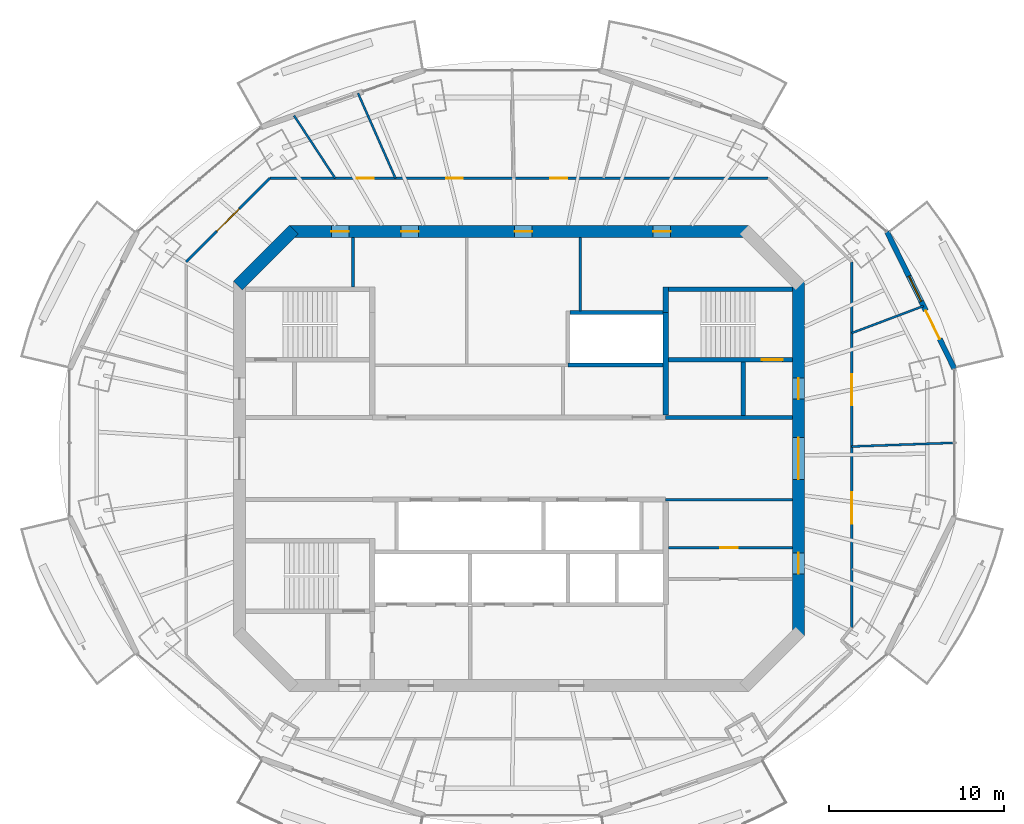
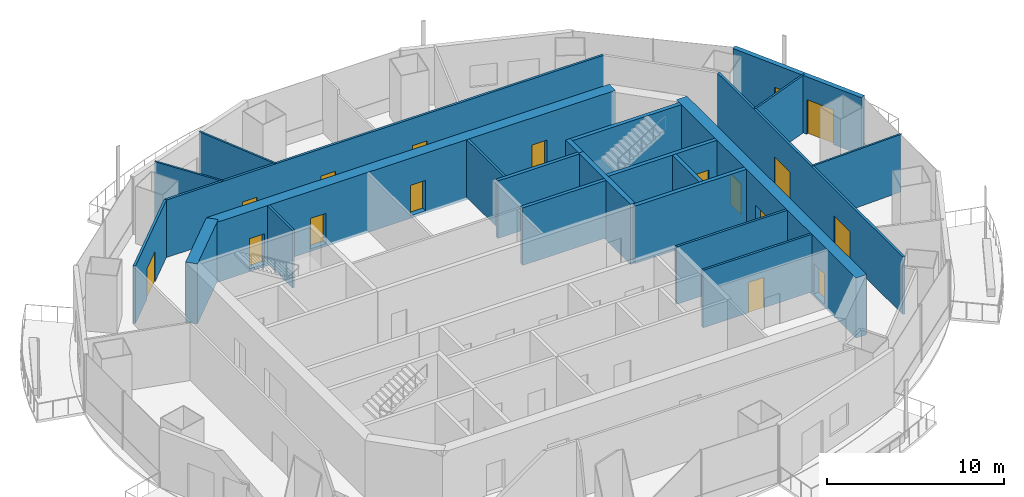
# One storey, part 10 of 16: 23 walls, 16 doors, 1 window, 17 openings.
"""IFC4 building model written with IfcOpenShell, lengths in metres."""

import ifcopenshell
import ifcopenshell.guid

model = None  # the IFC model being written
_history = None  # IfcOwnerHistory: only IFC2X3 demands one
_inside = {}  # id of a spatial element -> (the spatial element, [elements in it])
_under = {}  # id of a project, library or spatial element -> (it, [spatial elements below it])
_declared = {}  # id of a project -> (the project, [libraries it declares])
_typed = {}  # id of a type object -> (the type object, [elements of that type])
_made_of = {}  # id of a material, layer set ... -> (it, [elements and type objects made of it])


def new_model(schema):
    """Start an empty IFC model of exactly this schema.

    Asked for "IFC4X3", IfcOpenShell would pick the latest addendum, in which some entities
    have other attributes; the version numbers below select the first issue.
    IFC2X3 requires an IfcOwnerHistory on every rooted entity: one is made here for all.
    """
    global model, _history
    if schema == "IFC4X3":
        model = ifcopenshell.file(schema_version=(4, 3, 0, 0))
    else:
        model = ifcopenshell.file(schema=schema)
    _inside.clear()
    _under.clear()
    _declared.clear()
    _typed.clear()
    _made_of.clear()
    _history = None
    if model.schema == "IFC2X3":
        org = make("IfcOrganization", Name="unknown")
        user = make(
            "IfcPersonAndOrganization",
            ThePerson=make("IfcPerson", FamilyName="unknown"),
            TheOrganization=org,
        )
        app = make(
            "IfcApplication",
            ApplicationDeveloper=org,
            Version="unknown",
            ApplicationFullName="unknown",
            ApplicationIdentifier="unknown",
        )
        _history = make(
            "IfcOwnerHistory",
            OwningUser=user,
            OwningApplication=app,
            ChangeAction="ADDED",
            CreationDate=0,
        )
    return model


def make(cls, **values):
    """One entity of the class cls with the attributes given. An attribute that is None is left unset."""
    return model.create_entity(
        cls, **{name: value for name, value in values.items() if value is not None}
    )


def rooted(cls, **values):
    """An entity with a GlobalId (a new one), such as an element, a storey or a relation."""
    return make(cls, GlobalId=ifcopenshell.guid.new(), OwnerHistory=_history, **values)


def si_unit(unit_type, name, prefix=None):
    """IfcSIUnit, for example si_unit("LENGTHUNIT", "METRE", prefix="MILLI")."""
    return make("IfcSIUnit", UnitType=unit_type, Prefix=prefix, Name=name)


def assignment(units):
    """IfcUnitAssignment: the units of a project."""
    return None if units is None else make("IfcUnitAssignment", Units=units)


def point(xyz):
    """IfcCartesianPoint."""
    return None if xyz is None else make("IfcCartesianPoint", Coordinates=xyz)


def direction(xyz):
    """IfcDirection."""
    return None if xyz is None else make("IfcDirection", DirectionRatios=xyz)


def frame(location, z_axis=None, x_axis=None):
    """IfcAxis2Placement3D, a coordinate frame: its origin and axes. An axis left out is left unset."""
    return make(
        "IfcAxis2Placement3D",
        Location=point(location),
        Axis=direction(z_axis),
        RefDirection=direction(x_axis),
    )


def frame_2d(location, x_axis=None):
    """IfcAxis2Placement2D, a coordinate frame in the plane: its origin and x axis."""
    return make(
        "IfcAxis2Placement2D", Location=point(location), RefDirection=direction(x_axis)
    )


def origin():
    """The frame at (0, 0, 0) with its axes left unset."""
    return frame((0.0, 0.0, 0.0))


def place(relative_to, where):
    """IfcLocalPlacement: puts the frame where relative to a parent placement (None: the world)."""
    return make(
        "IfcLocalPlacement", PlacementRelTo=relative_to, RelativePlacement=where
    )


def context(
    kind, dimensions, precision=None, world=None, true_north=None, identifier=None
):
    """IfcGeometricRepresentationContext, for example the 3D "Model" context."""
    return make(
        "IfcGeometricRepresentationContext",
        ContextIdentifier=identifier,
        ContextType=kind,
        CoordinateSpaceDimension=dimensions,
        Precision=precision,
        WorldCoordinateSystem=world,
        TrueNorth=true_north,
    )


def subcontext(parent, identifier, kind, view, scale=None):
    """IfcGeometricRepresentationSubContext, for example "Body" below "Model"."""
    return make(
        "IfcGeometricRepresentationSubContext",
        ContextIdentifier=identifier,
        ContextType=kind,
        ParentContext=parent,
        TargetScale=scale,
        TargetView=view,
    )


def project(units=None, contexts=None):
    """IfcProject with its units and contexts."""
    return rooted(
        "IfcProject",
        Name="project",
        RepresentationContexts=contexts,
        UnitsInContext=assignment(units),
    )


def spatial(cls, under=None, at=None, **own):
    """A site, building, storey or space (cls), placed at a placement, below another one or the project."""
    s = rooted(cls, ObjectPlacement=at, **own)
    if under is not None:
        _under.setdefault(under.id(), (under, []))[1].append(s)
    return s


def profile(cls, at=None, kind="AREA", **sizes):
    """A parametric profile (cls). Its sizes go by their IFC names, for example OverallWidth=200.0."""
    return make(cls, ProfileType=kind, Position=at, **sizes)


def rectangle(**sizes):
    """IfcRectangleProfileDef."""
    return profile("IfcRectangleProfileDef", **sizes)


def extrude(swept, where, along, depth):
    """IfcExtrudedAreaSolid: the profile swept, set in the frame where, extruded along a direction by depth."""
    return make(
        "IfcExtrudedAreaSolid",
        SweptArea=swept,
        Position=where,
        ExtrudedDirection=direction(along),
        Depth=depth,
    )


def shape(context_of_items, identifier, shape_type, items):
    """IfcShapeRepresentation: the items that make up one representation, for example the "Body"."""
    return make(
        "IfcShapeRepresentation",
        ContextOfItems=context_of_items,
        RepresentationIdentifier=identifier,
        RepresentationType=shape_type,
        Items=items,
    )


def material(Name=None, Category=None):
    """IfcMaterial."""
    return make("IfcMaterial", Name=Name, Category=Category)


def layer(
    of_material, thickness, ventilated=None, Name=None, Category=None, Priority=None
):
    """IfcMaterialLayer: one layer of a wall or slab, of a material (None: an air gap)."""
    return make(
        "IfcMaterialLayer",
        Material=of_material,
        LayerThickness=thickness,
        IsVentilated=ventilated,
        Name=Name,
        Category=Category,
        Priority=Priority,
    )


def layer_set(layers, Name=None):
    """IfcMaterialLayerSet."""
    return make("IfcMaterialLayerSet", MaterialLayers=layers, LayerSetName=Name)


def made_of(thing, what):
    """Note that an element or type object is made of a material, layer set ...; save() writes the relation."""
    if what is not None:
        _made_of.setdefault(what.id(), (what, []))[1].append(thing)
    return thing


def type_object(cls, material=None, **own):
    """A type object (cls), such as IfcWallType, which elements share."""
    return made_of(rooted(cls, **own), material)


def element(
    cls,
    number,
    at=None,
    inside=None,
    cuts=None,
    type_object=None,
    material=None,
    context=None,
    identifier="Body",
    shape_type=None,
    held_by="IfcProductDefinitionShape",
    body=None,
    shapes=None,
    **own,
):
    """One element of the class cls, such as IfcWall. Its Tag is "e" and its number.

    at: its placement. inside: the storey or other place that contains it. cuts: it is an
    opening in that element (IfcRelVoidsElement). A single representation is given by context,
    identifier, shape_type and body (its items); several are given by shapes. held_by: the class
    of the entity that holds the representations. save() writes the other relations.
    """
    e = rooted(cls, Tag="e%d" % number, ObjectPlacement=at, **own)
    if body is not None:
        shapes = [shape(context, identifier, shape_type, body)]
    if shapes is not None:
        e.Representation = make(held_by, Representations=shapes)
    if inside is not None:
        _inside.setdefault(inside.id(), (inside, []))[1].append(e)
    if cuts is not None:
        rooted(
            "IfcRelVoidsElement", RelatingBuildingElement=cuts, RelatedOpeningElement=e
        )
    if type_object is not None:
        _typed.setdefault(type_object.id(), (type_object, []))[1].append(e)
    return made_of(e, material)


def fill(opening, filler):
    """IfcRelFillsElement: the door or window that sits in an opening."""
    return rooted(
        "IfcRelFillsElement",
        RelatingOpeningElement=opening,
        RelatedBuildingElement=filler,
    )


def aggregate(whole, parts):
    """IfcRelAggregates: a whole, such as a stair, and the parts it consists of."""
    return rooted("IfcRelAggregates", RelatingObject=whole, RelatedObjects=parts)


def save(model, path):
    """Write the relations noted so far, then the file.

    IfcRelAggregates (storeys below a building ...), IfcRelContainedInSpatialStructure (elements
    in a storey), IfcRelDefinesByType, IfcRelAssociatesMaterial and IfcRelDeclares: one each for
    every whole, place, type object, material and project.
    """
    for whole, parts in _under.values():
        aggregate(whole, parts)
    for where, things in _inside.values():
        rooted(
            "IfcRelContainedInSpatialStructure",
            RelatedElements=things,
            RelatingStructure=where,
        )
    for kind, things in _typed.values():
        rooted("IfcRelDefinesByType", RelatedObjects=things, RelatingType=kind)
    for what, things in _made_of.values():
        rooted("IfcRelAssociatesMaterial", RelatedObjects=things, RelatingMaterial=what)
    for by, libraries in _declared.values():
        rooted("IfcRelDeclares", RelatingContext=by, RelatedDefinitions=libraries)
    model.write(path)


model = new_model("IFC4")

# Units and contexts
model_context = context("Model", 3, precision=1e-05, world=origin(), true_north=direction((0.0, 1.0)))
body_context = subcontext(model_context, "Body", "Model", "MODEL_VIEW")
ifc_project = project(units=[si_unit("LENGTHUNIT", "METRE"), si_unit("AREAUNIT", "SQUARE_METRE"), si_unit("VOLUMEUNIT", "CUBIC_METRE"), si_unit("PLANEANGLEUNIT", "RADIAN"), si_unit("MASSUNIT", "GRAM", prefix="KILO")], contexts=[model_context])

# Site, building, storey
site_placement = place(None, origin())
site = spatial("IfcSite", under=ifc_project, at=site_placement, CompositionType="ELEMENT")
building_placement = place(site_placement, origin())
building = spatial("IfcBuilding", under=site, at=building_placement, Name="Marenthal Gate Tower", CompositionType="ELEMENT")
storey_placement = place(building_placement, frame((0.0, 0.0, 375.800048828125)))
storey = spatial("IfcBuildingStorey", under=building, at=storey_placement, Name="L85", CompositionType="ELEMENT", Elevation=375.800048828125)

# Wall, openings, doors
ifc_material_1 = material(Name="Concrete 60 MPa", Category="concrete")
ifc_layer_1 = layer(ifc_material_1, 0.699951171875)
ifc_layer_set_1 = layer_set([ifc_layer_1], Name="Core shear wall 700")
wall_type_1 = type_object("IfcWallType", Name="Core shear wall 700", PredefinedType="SHEAR", material=ifc_layer_set_1)
wall_1_placement = place(storey_placement, frame((16.0, -10.14501953125, -0.179931640625), z_axis=(0.0, 0.0, 1.0), x_axis=(0.0, 1.0, 0.0)))
wall_1 = element("IfcWall", 1, at=wall_1_placement, inside=storey, type_object=wall_type_1, Name="Core wall 02", PredefinedType="SHEAR", context=body_context, shape_type="SweptSolid", body=[
    extrude(rectangle(XDim=20.2900390625, YDim=0.699951171875, at=frame_2d((10.14501953125, 0.0))), origin(), (0.0, 0.0, 1.0), 4.14990234375),
])
opening_1_placement = place(wall_1_placement, frame((8.945068359375, 0.0, 0.179931640625)))
opening_1 = element("IfcOpeningElement", 2, at=opening_1_placement, cuts=wall_1, Name="Opening D003.02", PredefinedType="OPENING", context=body_context, shape_type="SweptSolid", body=[
    extrude(rectangle(XDim=2.39990234375, YDim=2.10009765625, at=frame_2d((1.199951171875, 1.050048828125))), frame((0.0, 0.35986328125, 0.0), z_axis=(0.0, -1.0, 0.0), x_axis=(1.0, 0.0, 0.0)), (0.0, 0.0, 1.0), 0.719970703125),
])
opening_2_placement = place(wall_1_placement, frame((13.544921875, 0.0, 0.179931640625)))
opening_2 = element("IfcOpeningElement", 3, at=opening_2_placement, cuts=wall_1, Name="Opening D001.05", PredefinedType="OPENING", context=body_context, shape_type="SweptSolid", body=[
    extrude(rectangle(XDim=1.199951171875, YDim=2.10009765625, at=frame_2d((0.60009765625, 1.050048828125))), frame((0.0, 0.35986328125, 0.0), z_axis=(0.0, -1.0, 0.0), x_axis=(1.0, 0.0, 0.0)), (0.0, 0.0, 1.0), 0.719970703125),
])
opening_3_placement = place(wall_1_placement, frame((3.544921875, 0.0, 0.179931640625)))
opening_3 = element("IfcOpeningElement", 4, at=opening_3_placement, cuts=wall_1, Name="Opening D006.01", PredefinedType="OPENING", context=body_context, shape_type="SweptSolid", body=[
    extrude(rectangle(XDim=1.199951171875, YDim=2.10009765625, at=frame_2d((0.60009765625, 1.050048828125))), frame((0.0, 0.35986328125, 0.0), z_axis=(0.0, -1.0, 0.0), x_axis=(1.0, 0.0, 0.0)), (0.0, 0.0, 1.0), 0.719970703125),
])
ifc_material_2 = material(Name="Steel fire door", Category="steel")
door_type_1 = type_object("IfcDoorType", Name="Double fire door FD 45 2400 x 2100", OperationType="DOUBLE_DOOR_SINGLE_SWING", PredefinedType="DOOR", material=ifc_material_2)
door_1_placement = place(opening_1_placement, origin())
door_1 = element("IfcDoor", 5, at=door_1_placement, inside=storey, type_object=door_type_1, Name="Door D003.02", OperationType="DOUBLE_DOOR_SINGLE_SWING", OverallHeight=2.10009765625, OverallWidth=2.39990234375, PredefinedType="DOOR", context=body_context, shape_type="SweptSolid", body=[
    extrude(rectangle(XDim=2.39990234375, YDim=2.10009765625, at=frame_2d((1.199951171875, 1.050048828125))), frame((0.0, 0.02490234375, 0.0), z_axis=(0.0, -1.0, 0.0), x_axis=(1.0, 0.0, 0.0)), (0.0, 0.0, 1.0), 0.050048828125),
])
fill(opening_1, door_1)
ifc_material_3 = material(Name="Steel fire door", Category="steel")
door_type_2 = type_object("IfcDoorType", Name="Fire door FD 45 1200 x 2100", OperationType="NOTDEFINED", PredefinedType="DOOR", material=ifc_material_3)
door_2_placement = place(opening_3_placement, origin())
door_2 = element("IfcDoor", 6, at=door_2_placement, inside=storey, type_object=door_type_2, Name="Door D006.01", OperationType="SINGLE_SWING_RIGHT", OverallHeight=2.10009765625, OverallWidth=1.199951171875, PredefinedType="DOOR", context=body_context, shape_type="SweptSolid", body=[
    extrude(rectangle(XDim=1.199951171875, YDim=2.10009765625, at=frame_2d((0.60009765625, 1.050048828125))), frame((0.0, 0.02490234375, 0.0), z_axis=(0.0, -1.0, 0.0), x_axis=(1.0, 0.0, 0.0)), (0.0, 0.0, 1.0), 0.050048828125),
])
fill(opening_3, door_2)
ifc_material_4 = material(Name="Steel fire door", Category="steel")
door_type_3 = type_object("IfcDoorType", Name="Fire door FD 90 1200 x 2100", OperationType="NOTDEFINED", PredefinedType="DOOR", material=ifc_material_4)
door_3_placement = place(opening_2_placement, origin())
door_3 = element("IfcDoor", 7, at=door_3_placement, inside=storey, type_object=door_type_3, Name="Door D001.05", OperationType="SINGLE_SWING_RIGHT", OverallHeight=2.10009765625, OverallWidth=1.199951171875, PredefinedType="DOOR", context=body_context, shape_type="SweptSolid", body=[
    extrude(rectangle(XDim=1.199951171875, YDim=2.10009765625, at=frame_2d((0.60009765625, 1.050048828125))), frame((0.0, 0.02490234375, 0.0), z_axis=(0.0, -1.0, 0.0), x_axis=(1.0, 0.0, 0.0)), (0.0, 0.0, 1.0), 0.050048828125),
])
fill(opening_2, door_3)

wall_2_placement = place(storey_placement, frame((13.14501953125, 13.0, -0.179931640625), z_axis=(0.0, 0.0, 1.0), x_axis=(-1.0, 0.0, 0.0)))
wall_2 = element("IfcWall", 8, at=wall_2_placement, inside=storey, type_object=wall_type_1, Name="Core wall 04", PredefinedType="SHEAR", context=body_context, shape_type="SweptSolid", body=[
    extrude(rectangle(XDim=26.2900390625, YDim=0.699951171875, at=frame_2d((13.14501953125, 0.0))), origin(), (0.0, 0.0, 1.0), 4.14990234375),
])
opening_4_placement = place(wall_2_placement, frame((22.889892578125, 0.0, 0.179931640625)))
opening_4 = element("IfcOpeningElement", 9, at=opening_4_placement, cuts=wall_2, Name="Opening D005.03", PredefinedType="OPENING", context=body_context, shape_type="SweptSolid", body=[
    extrude(rectangle(XDim=1.0, YDim=2.10009765625, at=frame_2d((0.5, 1.050048828125))), frame((0.0, 0.35986328125, 0.0), z_axis=(0.0, -1.0, 0.0), x_axis=(1.0, 0.0, 0.0)), (0.0, 0.0, 1.0), 0.719970703125),
])
opening_5_placement = place(wall_2_placement, frame((18.89501953125, 0.0, 0.179931640625)))
opening_5 = element("IfcOpeningElement", 10, at=opening_5_placement, cuts=wall_2, Name="Opening D005.04", PredefinedType="OPENING", context=body_context, shape_type="SweptSolid", body=[
    extrude(rectangle(XDim=1.0, YDim=2.10009765625, at=frame_2d((0.5, 1.050048828125))), frame((0.0, 0.35986328125, 0.0), z_axis=(0.0, -1.0, 0.0), x_axis=(1.0, 0.0, 0.0)), (0.0, 0.0, 1.0), 0.719970703125),
])
opening_6_placement = place(wall_2_placement, frame((12.39501953125, 0.0, 0.179931640625)))
opening_6 = element("IfcOpeningElement", 11, at=opening_6_placement, cuts=wall_2, Name="Opening D005.05", PredefinedType="OPENING", context=body_context, shape_type="SweptSolid", body=[
    extrude(rectangle(XDim=1.0, YDim=2.10009765625, at=frame_2d((0.5, 1.050048828125))), frame((0.0, 0.35986328125, 0.0), z_axis=(0.0, -1.0, 0.0), x_axis=(1.0, 0.0, 0.0)), (0.0, 0.0, 1.0), 0.719970703125),
])
opening_7_placement = place(wall_2_placement, frame((4.46728515625, 0.0, 0.179931640625)))
opening_7 = element("IfcOpeningElement", 12, at=opening_7_placement, cuts=wall_2, Name="Opening D005.06", PredefinedType="OPENING", context=body_context, shape_type="SweptSolid", body=[
    extrude(rectangle(XDim=1.0, YDim=2.10009765625, at=frame_2d((0.5, 1.050048828125))), frame((0.0, 0.35986328125, 0.0), z_axis=(0.0, -1.0, 0.0), x_axis=(1.0, 0.0, 0.0)), (0.0, 0.0, 1.0), 0.719970703125),
])
ifc_material_5 = material(Name="Steel fire door", Category="steel")
door_type_4 = type_object("IfcDoorType", Name="Fire door FD 45 1000 x 2100", OperationType="NOTDEFINED", PredefinedType="DOOR", material=ifc_material_5)
door_4_placement = place(opening_4_placement, origin())
door_4 = element("IfcDoor", 13, at=door_4_placement, inside=storey, type_object=door_type_4, Name="Door D005.03", OperationType="SINGLE_SWING_RIGHT", OverallHeight=2.10009765625, OverallWidth=1.0, PredefinedType="DOOR", context=body_context, shape_type="SweptSolid", body=[
    extrude(rectangle(XDim=1.0, YDim=2.10009765625, at=frame_2d((0.5, 1.050048828125))), frame((0.0, 0.02490234375, 0.0), z_axis=(0.0, -1.0, 0.0), x_axis=(1.0, 0.0, 0.0)), (0.0, 0.0, 1.0), 0.050048828125),
])
fill(opening_4, door_4)
door_5_placement = place(opening_5_placement, origin())
door_5 = element("IfcDoor", 14, at=door_5_placement, inside=storey, type_object=door_type_4, Name="Door D005.04", OperationType="SINGLE_SWING_RIGHT", OverallHeight=2.10009765625, OverallWidth=1.0, PredefinedType="DOOR", context=body_context, shape_type="SweptSolid", body=[
    extrude(rectangle(XDim=1.0, YDim=2.10009765625, at=frame_2d((0.5, 1.050048828125))), frame((0.0, 0.02490234375, 0.0), z_axis=(0.0, -1.0, 0.0), x_axis=(1.0, 0.0, 0.0)), (0.0, 0.0, 1.0), 0.050048828125),
])
fill(opening_5, door_5)
door_6_placement = place(opening_6_placement, origin())
door_6 = element("IfcDoor", 15, at=door_6_placement, inside=storey, type_object=door_type_4, Name="Door D005.05", OperationType="SINGLE_SWING_RIGHT", OverallHeight=2.10009765625, OverallWidth=1.0, PredefinedType="DOOR", context=body_context, shape_type="SweptSolid", body=[
    extrude(rectangle(XDim=1.0, YDim=2.10009765625, at=frame_2d((0.5, 1.050048828125))), frame((0.0, 0.02490234375, 0.0), z_axis=(0.0, -1.0, 0.0), x_axis=(1.0, 0.0, 0.0)), (0.0, 0.0, 1.0), 0.050048828125),
])
fill(opening_6, door_6)
door_7_placement = place(opening_7_placement, origin())
door_7 = element("IfcDoor", 16, at=door_7_placement, inside=storey, type_object=door_type_4, Name="Door D005.06", OperationType="SINGLE_SWING_RIGHT", OverallHeight=2.10009765625, OverallWidth=1.0, PredefinedType="DOOR", context=body_context, shape_type="SweptSolid", body=[
    extrude(rectangle(XDim=1.0, YDim=2.10009765625, at=frame_2d((0.5, 1.050048828125))), frame((0.0, 0.02490234375, 0.0), z_axis=(0.0, -1.0, 0.0), x_axis=(1.0, 0.0, 0.0)), (0.0, 0.0, 1.0), 0.050048828125),
])
fill(opening_7, door_7)

# Walls
wall_3_placement = place(storey_placement, frame((-12.8974609375, 13.1025390625, -0.179931640625), z_axis=(0.0, 0.0, 1.0), x_axis=(-0.707106781187, -0.707106781187, 0.0)))
element("IfcWall", 17, at=wall_3_placement, inside=storey, type_object=wall_type_1, Name="Core wall 05", PredefinedType="SHEAR", context=body_context, shape_type="SweptSolid", body=[
    extrude(rectangle(XDim=4.53271484375, YDim=0.699951171875, at=frame_2d((2.266357421875, 0.0))), origin(), (0.0, 0.0, 1.0), 4.14990234375),
])
ifc_material_6 = material(Name="Concrete 50 MPa", Category="concrete")
ifc_layer_2 = layer(ifc_material_6, 0.300048828125)
ifc_layer_set_2 = layer_set([ifc_layer_2], Name="Hoistway shear wall 300")
wall_type_2 = type_object("IfcWallType", Name="Hoistway shear wall 300", PredefinedType="SHEAR", material=ifc_layer_set_2)
wall_4_placement = place(storey_placement, frame((8.39990234375, 2.5, -0.179931640625), z_axis=(0.0, 0.0, 1.0), x_axis=(0.0, 1.0, 0.0)))
element("IfcWall", 18, at=wall_4_placement, inside=storey, type_object=wall_type_2, Name="Hoistway wall 49", PredefinedType="SHEAR", context=body_context, shape_type="SweptSolid", body=[
    extrude(rectangle(XDim=5.85009765625, YDim=0.300048828125, at=frame_2d((2.925048828125, 0.0))), origin(), (0.0, 0.0, 1.0), 4.14990234375),
])
ifc_material_7 = material(Name="Concrete 40 MPa", Category="concrete")
ifc_layer_3 = layer(ifc_material_7, 0.219970703125)
ifc_layer_set_3 = layer_set([ifc_layer_3], Name="Hoistway wall 220")
wall_type_3 = type_object("IfcWallType", Name="Hoistway wall 220", PredefinedType="STANDARD", material=ifc_layer_set_3)
wall_5_placement = place(storey_placement, frame((2.800048828125, 5.35009765625, 0.0), z_axis=(0.0, 0.0, 1.0), x_axis=(1.0, 0.0, 0.0)))
element("IfcWall", 19, at=wall_5_placement, inside=storey, type_object=wall_type_3, Name="Hoistway wall 23", PredefinedType="STANDARD", context=body_context, shape_type="SweptSolid", body=[
    extrude(rectangle(XDim=5.449951171875, YDim=0.219970703125, at=frame_2d((2.72509765625, 0.0))), origin(), (0.0, 0.0, 1.0), 3.969970703125),
])
wall_6_placement = place(storey_placement, frame((2.909912109375, 8.35009765625, 0.0), z_axis=(0.0, 0.0, 1.0), x_axis=(1.0, 0.0, 0.0)))
element("IfcWall", 20, at=wall_6_placement, inside=storey, type_object=wall_type_3, Name="Hoistway wall 26", PredefinedType="STANDARD", context=body_context, shape_type="SweptSolid", body=[
    extrude(rectangle(XDim=5.340087890625, YDim=0.219970703125, at=frame_2d((2.669921875, 0.0))), origin(), (0.0, 0.0, 1.0), 3.969970703125),
])
ifc_material_8 = material(Name="Gypsum board on steel studs", Category="steel")
ifc_layer_4 = layer(ifc_material_8, 0.1201171875)
ifc_layer_set_4 = layer_set([ifc_layer_4], Name="Partition 120")
wall_type_4 = type_object("IfcWallType", Name="Partition 120", PredefinedType="PARTITIONING", material=ifc_layer_set_4)
wall_7_placement = place(storey_placement, frame((-10.527587890625, 16.050048828125, 0.0), z_axis=(0.0, 0.0, 1.0), x_axis=(-0.548477171189, 0.836165529477, 0.0)))
element("IfcWall", 21, at=wall_7_placement, inside=storey, type_object=wall_type_4, Name="Partition wall 60", PredefinedType="PARTITIONING", context=body_context, shape_type="SweptSolid", body=[
    extrude(rectangle(XDim=4.283935546875, YDim=0.1201171875, at=frame_2d((2.14208984375, 0.0))), origin(), (0.0, 0.0, 1.0), 3.969970703125),
])
wall_8_placement = place(storey_placement, frame((-7.07275390625, 16.050048828125, 0.0), z_axis=(0.0, 0.0, 1.0), x_axis=(-0.403253099631, 0.915088486234, 0.0)))
element("IfcWall", 22, at=wall_8_placement, inside=storey, type_object=wall_type_4, Name="Partition wall 61", PredefinedType="PARTITIONING", context=body_context, shape_type="SweptSolid", body=[
    extrude(rectangle(XDim=5.310791015625, YDim=0.1201171875, at=frame_2d((2.6552734375, 0.0))), origin(), (0.0, 0.0, 1.0), 3.969970703125),
])
wall_9_placement = place(storey_placement, frame((19.050048828125, 0.687744140625, 0.0), z_axis=(0.0, 0.0, 1.0), x_axis=(0.999348759749, 0.036084018458, 0.0)))
element("IfcWall", 23, at=wall_9_placement, inside=storey, type_object=wall_type_4, Name="Partition wall 74", PredefinedType="PARTITIONING", context=body_context, shape_type="SweptSolid", body=[
    extrude(rectangle(XDim=5.879638671875, YDim=0.1201171875, at=frame_2d((2.93994140625, 0.0))), origin(), (0.0, 0.0, 1.0), 3.969970703125),
])
wall_10_placement = place(storey_placement, frame((19.050048828125, 7.181884765625, 0.0), z_axis=(0.0, 0.0, 1.0), x_axis=(0.935715632494, 0.352755233989, 0.0)))
element("IfcWall", 24, at=wall_10_placement, inside=storey, type_object=wall_type_4, Name="Partition wall 75", PredefinedType="PARTITIONING", context=body_context, shape_type="SweptSolid", body=[
    extrude(rectangle(XDim=4.392822265625, YDim=0.1201171875, at=frame_2d((2.1962890625, 0.0))), origin(), (0.0, 0.0, 1.0), 3.969970703125),
])

# Wall, opening, door
ifc_material_9 = material(Name="Gypsum board on steel studs", Category="steel")
ifc_layer_5 = layer(ifc_material_9, 0.14990234375)
ifc_layer_set_5 = layer_set([ifc_layer_5], Name="Partition 150")
wall_type_5 = type_object("IfcWallType", Name="Partition 150", PredefinedType="PARTITIONING", material=ifc_layer_set_5)
wall_11_placement = place(storey_placement, frame((8.550048828125, -5.10009765625, 0.0), z_axis=(0.0, 0.0, 1.0), x_axis=(1.0, 0.0, 0.0)))
wall_11 = element("IfcWall", 25, at=wall_11_placement, inside=storey, type_object=wall_type_5, Name="Partition wall 14", PredefinedType="PARTITIONING", context=body_context, shape_type="SweptSolid", body=[
    extrude(rectangle(XDim=7.099853515625, YDim=0.14990234375, at=frame_2d((3.5498046875, 0.0))), origin(), (0.0, 0.0, 1.0), 3.969970703125),
])
opening_8_placement = place(wall_11_placement, frame((2.97509765625, 0.0, 0.0)))
opening_8 = element("IfcOpeningElement", 26, at=opening_8_placement, cuts=wall_11, Name="Opening D005.07", PredefinedType="OPENING", context=body_context, shape_type="SweptSolid", body=[
    extrude(rectangle(XDim=1.0, YDim=2.10009765625, at=frame_2d((0.5, 1.050048828125))), frame((0.0, 0.0849609375, 0.0), z_axis=(0.0, -1.0, 0.0), x_axis=(1.0, 0.0, 0.0)), (0.0, 0.0, 1.0), 0.169921875),
])
door_8_placement = place(opening_8_placement, origin())
door_8 = element("IfcDoor", 27, at=door_8_placement, inside=storey, type_object=door_type_4, Name="Door D005.07", OperationType="SINGLE_SWING_RIGHT", OverallHeight=2.10009765625, OverallWidth=1.0, PredefinedType="DOOR", context=body_context, shape_type="SweptSolid", body=[
    extrude(rectangle(XDim=1.0, YDim=2.10009765625, at=frame_2d((0.5, 1.050048828125))), frame((0.0, 0.02490234375, 0.0), z_axis=(0.0, -1.0, 0.0), x_axis=(1.0, 0.0, 0.0)), (0.0, 0.0, 1.0), 0.050048828125),
])
fill(opening_8, door_8)

# Walls
wall_12_placement = place(storey_placement, frame((8.39990234375, -2.35009765625, 0.0), z_axis=(0.0, 0.0, 1.0), x_axis=(1.0, 0.0, 0.0)))
element("IfcWall", 28, at=wall_12_placement, inside=storey, type_object=wall_type_5, Name="Partition wall 18", PredefinedType="PARTITIONING", context=body_context, shape_type="SweptSolid", body=[
    extrude(rectangle(XDim=7.25, YDim=0.14990234375, at=frame_2d((3.625, 0.0))), origin(), (0.0, 0.0, 1.0), 3.969970703125),
])
wall_13_placement = place(storey_placement, frame((-9.5, 9.824951171875, 0.0), z_axis=(0.0, 0.0, 1.0), x_axis=(0.0, 1.0, 0.0)))
element("IfcWall", 29, at=wall_13_placement, inside=storey, type_object=wall_type_5, Name="Partition wall 31", PredefinedType="PARTITIONING", context=body_context, shape_type="SweptSolid", body=[
    extrude(rectangle(XDim=2.824951171875, YDim=0.14990234375, at=frame_2d((1.41259765625, 0.0))), origin(), (0.0, 0.0, 1.0), 3.969970703125),
])
wall_14_placement = place(storey_placement, frame((3.5, 8.4599609375, 0.0), z_axis=(0.0, 0.0, 1.0), x_axis=(0.0, 1.0, 0.0)))
element("IfcWall", 30, at=wall_14_placement, inside=storey, type_object=wall_type_5, Name="Partition wall 44", PredefinedType="PARTITIONING", context=body_context, shape_type="SweptSolid", body=[
    extrude(rectangle(XDim=4.18994140625, YDim=0.14990234375, at=frame_2d((2.094970703125, 0.0))), origin(), (0.0, 0.0, 1.0), 3.969970703125),
])

# Wall, opening, door
wall_15_placement = place(storey_placement, frame((-19.050048828125, 11.263427734375, 0.0), z_axis=(0.0, 0.0, 1.0), x_axis=(0.707106781187, 0.707106781187, 0.0)))
wall_15 = element("IfcWall", 31, at=wall_15_placement, inside=storey, type_object=wall_type_5, Name="Partition wall 54", PredefinedType="PARTITIONING", context=body_context, shape_type="SweptSolid", body=[
    extrude(rectangle(XDim=6.769287109375, YDim=0.14990234375, at=frame_2d((3.384765625, 0.0))), origin(), (0.0, 0.0, 1.0), 3.969970703125),
])
opening_9_placement = place(wall_15_placement, frame((2.485107421875, 0.0, 0.0)))
opening_9 = element("IfcOpeningElement", 32, at=opening_9_placement, cuts=wall_15, Name="Opening D014.02", PredefinedType="OPENING", context=body_context, shape_type="SweptSolid", body=[
    extrude(rectangle(XDim=1.800048828125, YDim=2.10009765625, at=frame_2d((0.89990234375, 1.050048828125))), frame((0.0, 0.0849609375, 0.0), z_axis=(0.0, -1.0, 0.0), x_axis=(1.0, 0.0, 0.0)), (0.0, 0.0, 1.0), 0.169921875),
])
ifc_material_10 = material(Name="Timber door", Category="wood")
door_type_5 = type_object("IfcDoorType", Name="Double door 1800 x 2100", OperationType="DOUBLE_DOOR_SINGLE_SWING", PredefinedType="DOOR", material=ifc_material_10)
door_9_placement = place(opening_9_placement, origin())
door_9 = element("IfcDoor", 33, at=door_9_placement, inside=storey, type_object=door_type_5, Name="Door D014.02", OperationType="DOUBLE_DOOR_SINGLE_SWING", OverallHeight=2.10009765625, OverallWidth=1.800048828125, PredefinedType="DOOR", context=body_context, shape_type="SweptSolid", body=[
    extrude(rectangle(XDim=1.800048828125, YDim=2.10009765625, at=frame_2d((0.89990234375, 1.050048828125))), frame((0.0, 0.02490234375, 0.0), z_axis=(0.0, -1.0, 0.0), x_axis=(1.0, 0.0, 0.0)), (0.0, 0.0, 1.0), 0.050048828125),
])
fill(opening_9, door_9)

# Wall, openings, doors
wall_16_placement = place(storey_placement, frame((-14.263427734375, 16.050048828125, 0.0), z_axis=(0.0, 0.0, 1.0), x_axis=(1.0, 0.0, 0.0)))
wall_16 = element("IfcWall", 34, at=wall_16_placement, inside=storey, type_object=wall_type_5, Name="Partition wall 56", PredefinedType="PARTITIONING", context=body_context, shape_type="SweptSolid", body=[
    extrude(rectangle(XDim=28.52685546875, YDim=0.14990234375, at=frame_2d((14.263427734375, 0.0))), origin(), (0.0, 0.0, 1.0), 3.969970703125),
])
opening_10_placement = place(wall_16_placement, frame((16.06396484375, 0.0, 0.0)))
opening_10 = element("IfcOpeningElement", 35, at=opening_10_placement, cuts=wall_16, Name="Opening D016.02", PredefinedType="OPENING", context=body_context, shape_type="SweptSolid", body=[
    extrude(rectangle(XDim=0.949951171875, YDim=2.10009765625, at=frame_2d((0.47509765625, 1.050048828125))), frame((0.0, 0.0849609375, 0.0), z_axis=(0.0, -1.0, 0.0), x_axis=(1.0, 0.0, 0.0)), (0.0, 0.0, 1.0), 0.169921875),
])
opening_11_placement = place(wall_16_placement, frame((10.10693359375, 0.0, 0.0)))
opening_11 = element("IfcOpeningElement", 36, at=opening_11_placement, cuts=wall_16, Name="Opening D016.03", PredefinedType="OPENING", context=body_context, shape_type="SweptSolid", body=[
    extrude(rectangle(XDim=0.949951171875, YDim=2.10009765625, at=frame_2d((0.47509765625, 1.050048828125))), frame((0.0, 0.0849609375, 0.0), z_axis=(0.0, -1.0, 0.0), x_axis=(1.0, 0.0, 0.0)), (0.0, 0.0, 1.0), 0.169921875),
])
opening_12_placement = place(wall_16_placement, frame((4.988037109375, 0.0, 0.0)))
opening_12 = element("IfcOpeningElement", 37, at=opening_12_placement, cuts=wall_16, Name="Opening D016.04", PredefinedType="OPENING", context=body_context, shape_type="SweptSolid", body=[
    extrude(rectangle(XDim=0.949951171875, YDim=2.10009765625, at=frame_2d((0.47509765625, 1.050048828125))), frame((0.0, 0.0849609375, 0.0), z_axis=(0.0, -1.0, 0.0), x_axis=(1.0, 0.0, 0.0)), (0.0, 0.0, 1.0), 0.169921875),
])
ifc_material_11 = material(Name="Timber door", Category="wood")
door_type_6 = type_object("IfcDoorType", Name="Door 950 x 2100", OperationType="NOTDEFINED", PredefinedType="DOOR", material=ifc_material_11)
door_10_placement = place(opening_10_placement, origin())
door_10 = element("IfcDoor", 38, at=door_10_placement, inside=storey, type_object=door_type_6, Name="Door D016.02", OperationType="SINGLE_SWING_RIGHT", OverallHeight=2.10009765625, OverallWidth=0.949951171875, PredefinedType="DOOR", context=body_context, shape_type="SweptSolid", body=[
    extrude(rectangle(XDim=0.949951171875, YDim=2.10009765625, at=frame_2d((0.47509765625, 1.050048828125))), frame((0.0, 0.02490234375, 0.0), z_axis=(0.0, -1.0, 0.0), x_axis=(1.0, 0.0, 0.0)), (0.0, 0.0, 1.0), 0.050048828125),
])
fill(opening_10, door_10)
door_11_placement = place(opening_11_placement, origin())
door_11 = element("IfcDoor", 39, at=door_11_placement, inside=storey, type_object=door_type_6, Name="Door D016.03", OperationType="SINGLE_SWING_RIGHT", OverallHeight=2.10009765625, OverallWidth=0.949951171875, PredefinedType="DOOR", context=body_context, shape_type="SweptSolid", body=[
    extrude(rectangle(XDim=0.949951171875, YDim=2.10009765625, at=frame_2d((0.47509765625, 1.050048828125))), frame((0.0, 0.02490234375, 0.0), z_axis=(0.0, -1.0, 0.0), x_axis=(1.0, 0.0, 0.0)), (0.0, 0.0, 1.0), 0.050048828125),
])
fill(opening_11, door_11)
door_12_placement = place(opening_12_placement, origin())
door_12 = element("IfcDoor", 40, at=door_12_placement, inside=storey, type_object=door_type_6, Name="Door D016.04", OperationType="SINGLE_SWING_RIGHT", OverallHeight=2.10009765625, OverallWidth=0.949951171875, PredefinedType="DOOR", context=body_context, shape_type="SweptSolid", body=[
    extrude(rectangle(XDim=0.949951171875, YDim=2.10009765625, at=frame_2d((0.47509765625, 1.050048828125))), frame((0.0, 0.02490234375, 0.0), z_axis=(0.0, -1.0, 0.0), x_axis=(1.0, 0.0, 0.0)), (0.0, 0.0, 1.0), 0.050048828125),
])
fill(opening_12, door_12)

wall_17_placement = place(storey_placement, frame((19.050048828125, 11.263427734375, 0.0), z_axis=(0.0, 0.0, 1.0), x_axis=(0.0, -1.0, 0.0)))
wall_17 = element("IfcWall", 41, at=wall_17_placement, inside=storey, type_object=wall_type_5, Name="Partition wall 76", PredefinedType="PARTITIONING", context=body_context, shape_type="SweptSolid", body=[
    extrude(rectangle(XDim=20.92919921875, YDim=0.14990234375, at=frame_2d((10.464599609375, 0.0))), origin(), (0.0, 0.0, 1.0), 3.969970703125),
])
opening_13_placement = place(wall_17_placement, frame((6.427978515625, 0.0, 0.0)))
opening_13 = element("IfcOpeningElement", 42, at=opening_13_placement, cuts=wall_17, Name="Opening D014.01", PredefinedType="OPENING", context=body_context, shape_type="SweptSolid", body=[
    extrude(rectangle(XDim=1.800048828125, YDim=2.10009765625, at=frame_2d((0.89990234375, 1.050048828125))), frame((0.0, 0.0849609375, 0.0), z_axis=(0.0, -1.0, 0.0), x_axis=(1.0, 0.0, 0.0)), (0.0, 0.0, 1.0), 0.169921875),
])
opening_14_placement = place(wall_17_placement, frame((13.18603515625, 0.0, 0.0)))
opening_14 = element("IfcOpeningElement", 43, at=opening_14_placement, cuts=wall_17, Name="Opening D014.04", PredefinedType="OPENING", context=body_context, shape_type="SweptSolid", body=[
    extrude(rectangle(XDim=1.800048828125, YDim=2.10009765625, at=frame_2d((0.89990234375, 1.050048828125))), frame((0.0, 0.0849609375, 0.0), z_axis=(0.0, -1.0, 0.0), x_axis=(1.0, 0.0, 0.0)), (0.0, 0.0, 1.0), 0.169921875),
])
door_13_placement = place(opening_13_placement, origin())
door_13 = element("IfcDoor", 44, at=door_13_placement, inside=storey, type_object=door_type_5, Name="Door D014.01", OperationType="DOUBLE_DOOR_SINGLE_SWING", OverallHeight=2.10009765625, OverallWidth=1.800048828125, PredefinedType="DOOR", context=body_context, shape_type="SweptSolid", body=[
    extrude(rectangle(XDim=1.800048828125, YDim=2.10009765625, at=frame_2d((0.89990234375, 1.050048828125))), frame((0.0, 0.02490234375, 0.0), z_axis=(0.0, -1.0, 0.0), x_axis=(1.0, 0.0, 0.0)), (0.0, 0.0, 1.0), 0.050048828125),
])
fill(opening_13, door_13)
door_14_placement = place(opening_14_placement, origin())
door_14 = element("IfcDoor", 45, at=door_14_placement, inside=storey, type_object=door_type_5, Name="Door D014.04", OperationType="DOUBLE_DOOR_SINGLE_SWING", OverallHeight=2.10009765625, OverallWidth=1.800048828125, PredefinedType="DOOR", context=body_context, shape_type="SweptSolid", body=[
    extrude(rectangle(XDim=1.800048828125, YDim=2.10009765625, at=frame_2d((0.89990234375, 1.050048828125))), frame((0.0, 0.02490234375, 0.0), z_axis=(0.0, -1.0, 0.0), x_axis=(1.0, 0.0, 0.0)), (0.0, 0.0, 1.0), 0.050048828125),
])
fill(opening_14, door_14)

# Walls
ifc_material_12 = material(Name="Concrete 40 MPa", Category="concrete")
ifc_layer_6 = layer(ifc_material_12, 0.25)
ifc_layer_set_6 = layer_set([ifc_layer_6], Name="Stair enclosure wall 250")
wall_type_6 = type_object("IfcWallType", Name="Stair enclosure wall 250", PredefinedType="STANDARD", material=ifc_layer_set_6)
wall_18_placement = place(storey_placement, frame((8.39990234375, 2.35009765625, 0.0), z_axis=(0.0, 0.0, 1.0), x_axis=(1.0, 0.0, 0.0)))
element("IfcWall", 46, at=wall_18_placement, inside=storey, type_object=wall_type_6, Name="Stair wall 21", PredefinedType="STANDARD", context=body_context, shape_type="SweptSolid", body=[
    extrude(rectangle(XDim=7.25, YDim=0.25, at=frame_2d((3.625, 0.0))), origin(), (0.0, 0.0, 1.0), 3.969970703125),
])
wall_19_placement = place(storey_placement, frame((12.85009765625, 2.47509765625, 0.0), z_axis=(0.0, 0.0, 1.0), x_axis=(0.0, 1.0, 0.0)))
element("IfcWall", 47, at=wall_19_placement, inside=storey, type_object=wall_type_6, Name="Stair wall 51", PredefinedType="STANDARD", context=body_context, shape_type="SweptSolid", body=[
    extrude(rectangle(XDim=3.0498046875, YDim=0.25, at=frame_2d((1.52490234375, 0.0))), origin(), (0.0, 0.0, 1.0), 3.969970703125),
])

# Wall, opening, door
ifc_material_13 = material(Name="Concrete 50 MPa", Category="concrete")
ifc_layer_7 = layer(ifc_material_13, 0.25)
ifc_layer_set_7 = layer_set([ifc_layer_7], Name="Stair shear wall 250")
wall_type_7 = type_object("IfcWallType", Name="Stair shear wall 250", PredefinedType="SHEAR", material=ifc_layer_set_7)
wall_20_placement = place(storey_placement, frame((8.550048828125, 5.64990234375, -0.179931640625), z_axis=(0.0, 0.0, 1.0), x_axis=(1.0, 0.0, 0.0)))
wall_20 = element("IfcWall", 48, at=wall_20_placement, inside=storey, type_object=wall_type_7, Name="Stair wall 25", PredefinedType="SHEAR", context=body_context, shape_type="SweptSolid", body=[
    extrude(rectangle(XDim=7.099853515625, YDim=0.25, at=frame_2d((3.5498046875, 0.0))), origin(), (0.0, 0.0, 1.0), 4.14990234375),
])
opening_15_placement = place(wall_20_placement, frame((5.35009765625, 0.0, 0.179931640625)))
opening_15 = element("IfcOpeningElement", 49, at=opening_15_placement, cuts=wall_20, Name="Opening D001.02", PredefinedType="OPENING", context=body_context, shape_type="SweptSolid", body=[
    extrude(rectangle(XDim=1.199951171875, YDim=2.10009765625, at=frame_2d((0.60009765625, 1.050048828125))), frame((0.0, 0.135009765625, 0.0), z_axis=(0.0, -1.0, 0.0), x_axis=(1.0, 0.0, 0.0)), (0.0, 0.0, 1.0), 0.27001953125),
])
door_15_placement = place(opening_15_placement, origin())
door_15 = element("IfcDoor", 50, at=door_15_placement, inside=storey, type_object=door_type_3, Name="Door D001.02", OperationType="SINGLE_SWING_RIGHT", OverallHeight=2.10009765625, OverallWidth=1.199951171875, PredefinedType="DOOR", context=body_context, shape_type="SweptSolid", body=[
    extrude(rectangle(XDim=1.199951171875, YDim=2.10009765625, at=frame_2d((0.60009765625, 1.050048828125))), frame((0.0, 0.02490234375, 0.0), z_axis=(0.0, -1.0, 0.0), x_axis=(1.0, 0.0, 0.0)), (0.0, 0.0, 1.0), 0.050048828125),
])
fill(opening_15, door_15)

# Walls
wall_21_placement = place(storey_placement, frame((8.550048828125, 9.699951171875, -0.179931640625), z_axis=(0.0, 0.0, 1.0), x_axis=(1.0, 0.0, 0.0)))
element("IfcWall", 51, at=wall_21_placement, inside=storey, type_object=wall_type_7, Name="Stair wall 28", PredefinedType="SHEAR", context=body_context, shape_type="SweptSolid", body=[
    extrude(rectangle(XDim=7.099853515625, YDim=0.25, at=frame_2d((3.5498046875, 0.0))), origin(), (0.0, 0.0, 1.0), 4.14990234375),
])
ifc_material_14 = material(Name="Concrete 50 MPa", Category="concrete")
ifc_layer_8 = layer(ifc_material_14, 0.300048828125)
ifc_layer_set_8 = layer_set([ifc_layer_8], Name="Stair shear wall 300")
wall_type_8 = type_object("IfcWallType", Name="Stair shear wall 300", PredefinedType="SHEAR", material=ifc_layer_set_8)
wall_22_placement = place(storey_placement, frame((8.39990234375, 8.35009765625, -0.179931640625), z_axis=(0.0, 0.0, 1.0), x_axis=(0.0, 1.0, 0.0)))
element("IfcWall", 52, at=wall_22_placement, inside=storey, type_object=wall_type_8, Name="Stair wall 50", PredefinedType="SHEAR", context=body_context, shape_type="SweptSolid", body=[
    extrude(rectangle(XDim=1.474853515625, YDim=0.300048828125, at=frame_2d((0.7373046875, 0.0))), origin(), (0.0, 0.0, 1.0), 4.14990234375),
])

# Wall, openings, door, window
ifc_material_15 = material(Name="Terracotta cladding on insulated concrete-block backing", Category="masonry")
ifc_layer_9 = layer(ifc_material_15, 0.300048828125)
ifc_layer_set_9 = layer_set([ifc_layer_9], Name="Terracotta facade wall 300")
wall_type_9 = type_object("IfcWallType", Name="Terracotta facade wall 300", PredefinedType="SOLIDWALL", material=ifc_layer_set_9)
wall_23_placement = place(storey_placement, frame((24.92578125, 5.14208984375, 0.0), z_axis=(0.0, 0.0, 1.0), x_axis=(-0.441346217757, 0.897336902212, 0.0)))
wall_23 = element("IfcWall", 53, at=wall_23_placement, inside=storey, type_object=wall_type_9, Name="Terracotta facade wall L85 bay 1", PredefinedType="SOLIDWALL", context=body_context, shape_type="SweptSolid", body=[
    extrude(rectangle(XDim=8.735595703125, YDim=0.300048828125, at=frame_2d((4.36767578125, 0.0))), origin(), (0.0, 0.0, 1.0), 3.969970703125),
])
opening_16_placement = place(wall_23_placement, frame((1.89990234375, 0.0, 0.0)))
opening_16 = element("IfcOpeningElement", 54, at=opening_16_placement, cuts=wall_23, Name="Opening BD-L85-01", PredefinedType="OPENING", context=body_context, shape_type="SweptSolid", body=[
    extrude(rectangle(XDim=1.800048828125, YDim=2.39990234375, at=frame_2d((0.89990234375, 1.199951171875))), frame((0.0, 0.16015625, 0.0), z_axis=(0.0, -1.0, 0.0), x_axis=(1.0, 0.0, 0.0)), (0.0, 0.0, 1.0), 0.320068359375),
])
opening_17_placement = place(wall_23_placement, frame((4.300048828125, 0.0, 0.89990234375)))
opening_17 = element("IfcOpeningElement", 55, at=opening_17_placement, cuts=wall_23, Name="Opening WN3-L85-01", PredefinedType="OPENING", context=body_context, shape_type="SweptSolid", body=[
    extrude(rectangle(XDim=1.60009765625, YDim=1.5, at=frame_2d((0.800048828125, 0.75))), frame((0.0, 0.16015625, 0.0), z_axis=(0.0, -1.0, 0.0), x_axis=(1.0, 0.0, 0.0)), (0.0, 0.0, 1.0), 0.320068359375),
])
ifc_material_16 = material(Name="Aluminium and glass", Category="aluminium")
door_type_7 = type_object("IfcDoorType", Name="Balcony door 1800x2400", OperationType="DOUBLE_DOOR_SINGLE_SWING", PredefinedType="DOOR", material=ifc_material_16)
door_16_placement = place(opening_16_placement, origin())
door_16 = element("IfcDoor", 56, at=door_16_placement, inside=storey, type_object=door_type_7, Name="Balcony door L85 bay 1", OperationType="SINGLE_SWING_LEFT", OverallHeight=2.39990234375, OverallWidth=1.800048828125, PredefinedType="DOOR", context=body_context, shape_type="SweptSolid", body=[
    extrude(rectangle(XDim=1.800048828125, YDim=2.39990234375, at=frame_2d((0.89990234375, 1.199951171875))), frame((0.0, 0.02490234375, 0.0), z_axis=(0.0, -1.0, 0.0), x_axis=(1.0, 0.0, 0.0)), (0.0, 0.0, 1.0), 0.050048828125),
])
fill(opening_16, door_16)
ifc_material_17 = material(Name="Aluminium and glass", Category="aluminium")
window_type = type_object("IfcWindowType", Name="Window 1600x1500", PartitioningType="DOUBLE_PANEL_VERTICAL", PredefinedType="WINDOW", material=ifc_material_17)
window_placement = place(opening_17_placement, origin())
window = element("IfcWindow", 57, at=window_placement, inside=storey, type_object=window_type, Name="Window L85 bay 1", OverallHeight=1.5, OverallWidth=1.60009765625, PartitioningType="SINGLE_PANEL", PredefinedType="WINDOW", context=body_context, shape_type="SweptSolid", body=[
    extrude(rectangle(XDim=1.60009765625, YDim=1.5, at=frame_2d((0.800048828125, 0.75))), frame((0.0, 0.030029296875, 0.0), z_axis=(0.0, -1.0, 0.0), x_axis=(1.0, 0.0, 0.0)), (0.0, 0.0, 1.0), 0.06005859375),
])
fill(opening_17, window)

save(model, "model.ifc")
